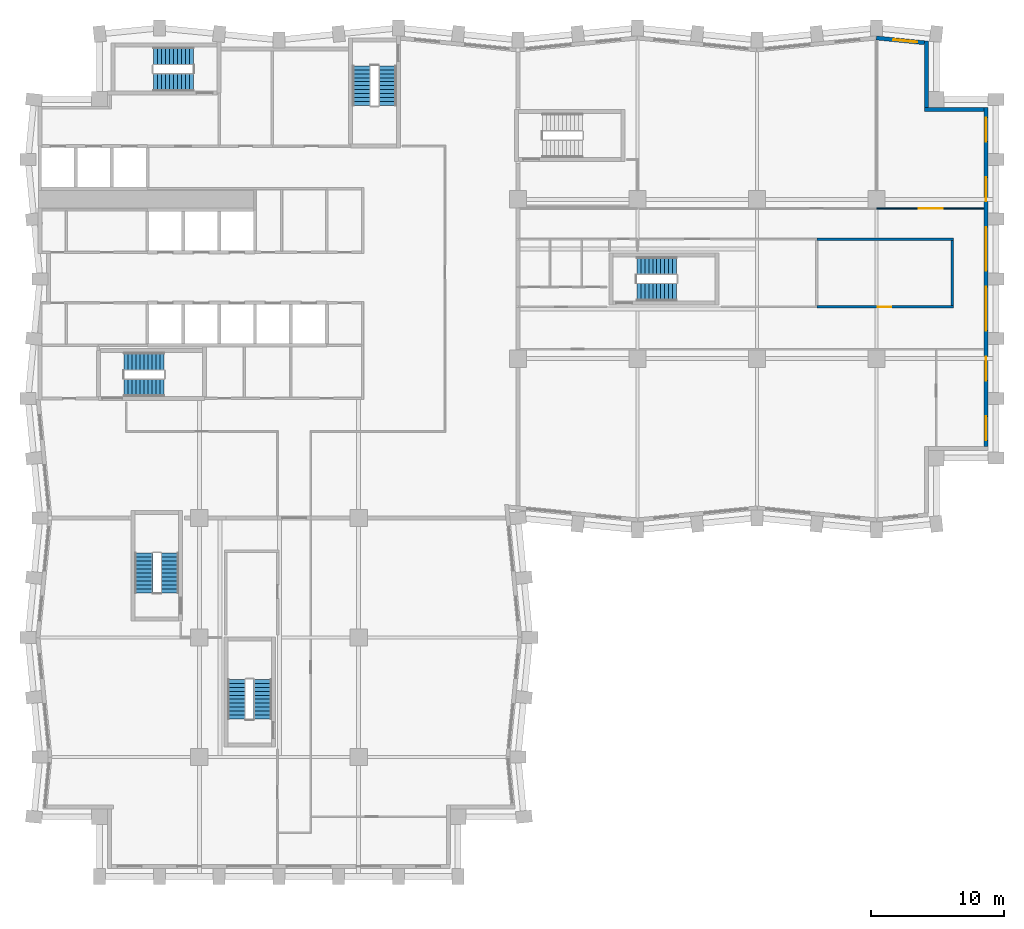
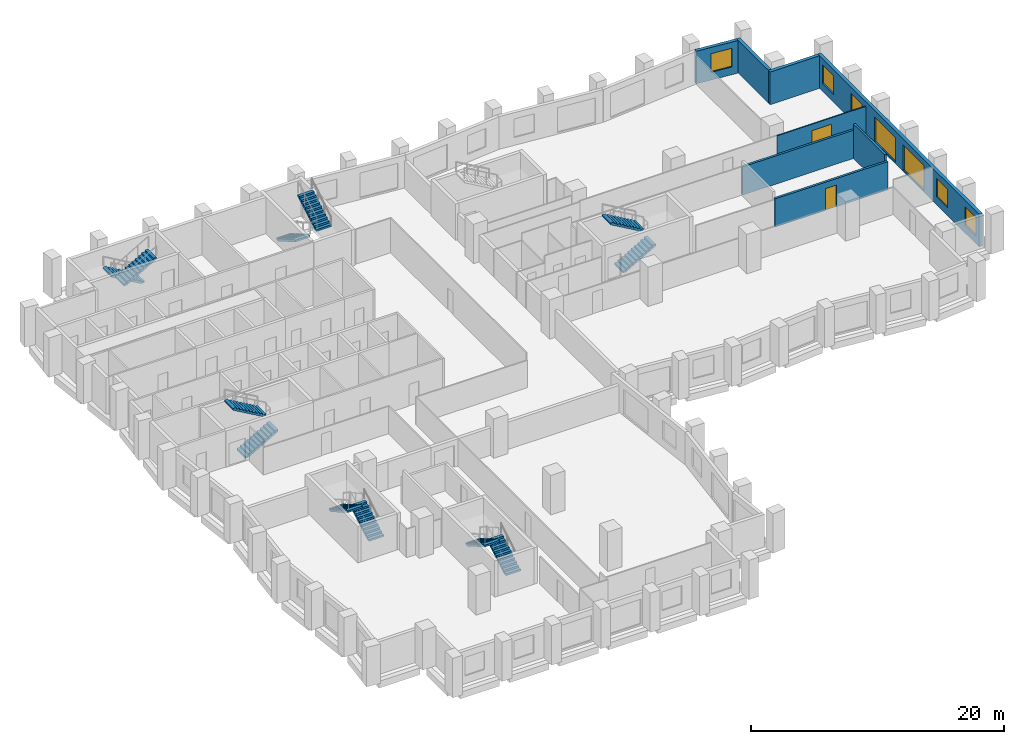
# One storey, part 8 of 11: 12 stair flights, 8 walls, 7 windows, 2 doors, 9 openings, 6 elements without a shape of their own.
"""IFC4 building model written with IfcOpenShell, lengths in metres."""

from ifc_helpers import new_model, si_unit, direction, frame, frame_2d, origin, place, context, subcontext, project, spatial, polyline, rectangle, outline, extrude, material, layer, layer_set, type_object, element, fill, aggregate, save


model = new_model("IFC4")

# Units and contexts
model_context = context("Model", 3, precision=1e-05, world=origin(), true_north=direction((0.0, 1.0)))
body_context = subcontext(model_context, "Body", "Model", "MODEL_VIEW")
ifc_project = project(units=[si_unit("LENGTHUNIT", "METRE"), si_unit("AREAUNIT", "SQUARE_METRE"), si_unit("VOLUMEUNIT", "CUBIC_METRE"), si_unit("PLANEANGLEUNIT", "RADIAN"), si_unit("MASSUNIT", "GRAM", prefix="KILO")], contexts=[model_context])

# Site, building, storey
site_placement = place(None, origin())
site = spatial("IfcSite", under=ifc_project, at=site_placement, CompositionType="ELEMENT")
building_placement = place(site_placement, origin())
building = spatial("IfcBuilding", under=site, at=building_placement, Name="Brondeck Convention Tower", CompositionType="ELEMENT")
storey_placement = place(building_placement, frame((0.0, 0.0, 130.300048828125)))
storey = spatial("IfcBuildingStorey", under=building, at=storey_placement, Name="L31", CompositionType="ELEMENT", Elevation=130.300048828125)

# Wall, openings, windows
ifc_material_1 = material(Name="Precast concrete C50/60 bronze finish", Category="concrete")
ifc_layer_1 = layer(ifc_material_1, 0.070068359375, Name="Bronze precast facing")
ifc_material_2 = material(Name="Mineral wool")
ifc_layer_2 = layer(ifc_material_2, 0.159912109375, Name="Insulation")
ifc_material_3 = material(Name="Concrete C35/45", Category="concrete")
ifc_layer_3 = layer(ifc_material_3, 0.070068359375, Name="Backing")
ifc_layer_set_1 = layer_set([ifc_layer_1, ifc_layer_2, ifc_layer_3], Name="External infill wall, precast concrete C50/60 bronze facing")
wall_type_1 = type_object("IfcWallType", Name="External infill wall, precast concrete C50/60 bronze facing", PredefinedType="SOLIDWALL", material=ifc_layer_set_1)
wall_1_placement = place(storey_placement, frame((71.25, 57.89990234375, 0.0), z_axis=(0.0, 0.0, 1.0), x_axis=(0.0, -1.0, 0.0)))
wall_1 = element("IfcWall", 1, at=wall_1_placement, inside=storey, type_object=wall_type_1, Name="ENV-EW-L31-P0-A-E72-01", PredefinedType="SOLIDWALL", context=body_context, shape_type="SweptSolid", body=[
    extrude(rectangle(XDim=25.501953125, YDim=0.300048828125, at=frame_2d((12.7509765625, 0.0))), origin(), (0.0, 0.0, 1.0), 3.14990234375),
])
opening_1_placement = place(wall_1_placement, frame((0.75, 0.0, 0.75)))
opening_1 = element("IfcOpeningElement", 2, at=opening_1_placement, cuts=wall_1, Name="Opening W10", PredefinedType="OPENING", context=body_context, shape_type="SweptSolid", body=[
    extrude(rectangle(XDim=1.800048828125, YDim=1.800048828125, at=frame_2d((0.89990234375, 0.89990234375))), frame((0.0, 0.159912109375, 0.0), z_axis=(0.0, -1.0, 0.0), x_axis=(1.0, 0.0, 0.0)), (0.0, 0.0, 1.0), 0.320068359375),
])
opening_2_placement = place(wall_1_placement, frame((5.25, 0.0, 0.75)))
opening_2 = element("IfcOpeningElement", 3, at=opening_2_placement, cuts=wall_1, Name="Opening W10", PredefinedType="OPENING", context=body_context, shape_type="SweptSolid", body=[
    extrude(rectangle(XDim=1.800048828125, YDim=1.800048828125, at=frame_2d((0.89990234375, 0.89990234375))), frame((0.0, 0.159912109375, 0.0), z_axis=(0.0, -1.0, 0.0), x_axis=(1.0, 0.0, 0.0)), (0.0, 0.0, 1.0), 0.320068359375),
])
opening_3_placement = place(wall_1_placement, frame((9.0, 0.0, 0.14990234375)))
opening_3 = element("IfcOpeningElement", 4, at=opening_3_placement, cuts=wall_1, Name="Opening W9", PredefinedType="OPENING", context=body_context, shape_type="SweptSolid", body=[
    extrude(rectangle(XDim=3.300048828125, YDim=2.39990234375, at=frame_2d((1.64990234375, 1.199951171875))), frame((0.0, 0.159912109375, 0.0), z_axis=(0.0, -1.0, 0.0), x_axis=(1.0, 0.0, 0.0)), (0.0, 0.0, 1.0), 0.320068359375),
])
opening_4_placement = place(wall_1_placement, frame((13.5, 0.0, 0.14990234375)))
opening_4 = element("IfcOpeningElement", 5, at=opening_4_placement, cuts=wall_1, Name="Opening W9", PredefinedType="OPENING", context=body_context, shape_type="SweptSolid", body=[
    extrude(rectangle(XDim=3.300048828125, YDim=2.39990234375, at=frame_2d((1.64990234375, 1.199951171875))), frame((0.0, 0.159912109375, 0.0), z_axis=(0.0, -1.0, 0.0), x_axis=(1.0, 0.0, 0.0)), (0.0, 0.0, 1.0), 0.320068359375),
])
opening_5_placement = place(wall_1_placement, frame((18.75, 0.0, 0.75)))
opening_5 = element("IfcOpeningElement", 6, at=opening_5_placement, cuts=wall_1, Name="Opening W10", PredefinedType="OPENING", context=body_context, shape_type="SweptSolid", body=[
    extrude(rectangle(XDim=1.800048828125, YDim=1.800048828125, at=frame_2d((0.89990234375, 0.89990234375))), frame((0.0, 0.159912109375, 0.0), z_axis=(0.0, -1.0, 0.0), x_axis=(1.0, 0.0, 0.0)), (0.0, 0.0, 1.0), 0.320068359375),
])
opening_6_placement = place(wall_1_placement, frame((23.25, 0.0, 0.75)))
opening_6 = element("IfcOpeningElement", 7, at=opening_6_placement, cuts=wall_1, Name="Opening W10", PredefinedType="OPENING", context=body_context, shape_type="SweptSolid", body=[
    extrude(rectangle(XDim=1.800048828125, YDim=1.800048828125, at=frame_2d((0.89990234375, 0.89990234375))), frame((0.0, 0.159912109375, 0.0), z_axis=(0.0, -1.0, 0.0), x_axis=(1.0, 0.0, 0.0)), (0.0, 0.0, 1.0), 0.320068359375),
])
ifc_material_4 = material(Name="Bronze tinted double glazing", Category="glass")
window_type_1 = type_object("IfcWindowType", Name="Glazed flute window, bronze tinted", PartitioningType="SINGLE_PANEL", PredefinedType="WINDOW", material=ifc_material_4)
window_1_placement = place(opening_3_placement, origin())
window_1 = element("IfcWindow", 8, at=window_1_placement, inside=storey, type_object=window_type_1, Name="ENV-WN-L31-P0-A-E72-04", OverallHeight=2.39990234375, OverallWidth=3.300048828125, PartitioningType="SINGLE_PANEL", PredefinedType="WINDOW", context=body_context, shape_type="SweptSolid", body=[
    extrude(rectangle(XDim=3.300048828125, YDim=2.39990234375, at=frame_2d((1.64990234375, 1.199951171875))), frame((0.0, 0.030029296875, 0.0), z_axis=(0.0, -1.0, 0.0), x_axis=(1.0, 0.0, 0.0)), (0.0, 0.0, 1.0), 0.06005859375),
])
fill(opening_3, window_1)
window_2_placement = place(opening_4_placement, origin())
window_2 = element("IfcWindow", 9, at=window_2_placement, inside=storey, type_object=window_type_1, Name="ENV-WN-L31-P0-A-E72-03", OverallHeight=2.39990234375, OverallWidth=3.300048828125, PartitioningType="SINGLE_PANEL", PredefinedType="WINDOW", context=body_context, shape_type="SweptSolid", body=[
    extrude(rectangle(XDim=3.300048828125, YDim=2.39990234375, at=frame_2d((1.64990234375, 1.199951171875))), frame((0.0, 0.030029296875, 0.0), z_axis=(0.0, -1.0, 0.0), x_axis=(1.0, 0.0, 0.0)), (0.0, 0.0, 1.0), 0.06005859375),
])
fill(opening_4, window_2)
window_type_2 = type_object("IfcWindowType", Name="Punched window, bronze tinted", PartitioningType="SINGLE_PANEL", PredefinedType="WINDOW", material=ifc_material_4)
window_3_placement = place(opening_1_placement, origin())
window_3 = element("IfcWindow", 10, at=window_3_placement, inside=storey, type_object=window_type_2, Name="ENV-WN-L31-P0-A-E72-06", OverallHeight=1.800048828125, OverallWidth=1.800048828125, PartitioningType="SINGLE_PANEL", PredefinedType="WINDOW", context=body_context, shape_type="SweptSolid", body=[
    extrude(rectangle(XDim=1.800048828125, YDim=1.800048828125, at=frame_2d((0.89990234375, 0.89990234375))), frame((0.0, 0.030029296875, 0.0), z_axis=(0.0, -1.0, 0.0), x_axis=(1.0, 0.0, 0.0)), (0.0, 0.0, 1.0), 0.06005859375),
])
fill(opening_1, window_3)
window_4_placement = place(opening_2_placement, origin())
window_4 = element("IfcWindow", 11, at=window_4_placement, inside=storey, type_object=window_type_2, Name="ENV-WN-L31-P0-A-E72-05", OverallHeight=1.800048828125, OverallWidth=1.800048828125, PartitioningType="SINGLE_PANEL", PredefinedType="WINDOW", context=body_context, shape_type="SweptSolid", body=[
    extrude(rectangle(XDim=1.800048828125, YDim=1.800048828125, at=frame_2d((0.89990234375, 0.89990234375))), frame((0.0, 0.030029296875, 0.0), z_axis=(0.0, -1.0, 0.0), x_axis=(1.0, 0.0, 0.0)), (0.0, 0.0, 1.0), 0.06005859375),
])
fill(opening_2, window_4)
window_5_placement = place(opening_5_placement, origin())
window_5 = element("IfcWindow", 12, at=window_5_placement, inside=storey, type_object=window_type_2, Name="ENV-WN-L31-P0-A-E72-02", OverallHeight=1.800048828125, OverallWidth=1.800048828125, PartitioningType="SINGLE_PANEL", PredefinedType="WINDOW", context=body_context, shape_type="SweptSolid", body=[
    extrude(rectangle(XDim=1.800048828125, YDim=1.800048828125, at=frame_2d((0.89990234375, 0.89990234375))), frame((0.0, 0.030029296875, 0.0), z_axis=(0.0, -1.0, 0.0), x_axis=(1.0, 0.0, 0.0)), (0.0, 0.0, 1.0), 0.06005859375),
])
fill(opening_5, window_5)
window_6_placement = place(opening_6_placement, origin())
window_6 = element("IfcWindow", 13, at=window_6_placement, inside=storey, type_object=window_type_2, Name="ENV-WN-L31-P0-A-E72-01", OverallHeight=1.800048828125, OverallWidth=1.800048828125, PartitioningType="SINGLE_PANEL", PredefinedType="WINDOW", context=body_context, shape_type="SweptSolid", body=[
    extrude(rectangle(XDim=1.800048828125, YDim=1.800048828125, at=frame_2d((0.89990234375, 0.89990234375))), frame((0.0, 0.030029296875, 0.0), z_axis=(0.0, -1.0, 0.0), x_axis=(1.0, 0.0, 0.0)), (0.0, 0.0, 1.0), 0.06005859375),
])
fill(opening_6, window_6)

# Walls
wall_2_placement = place(storey_placement, frame((66.60009765625, 57.75, 0.0), z_axis=(0.0, 0.0, 1.0), x_axis=(1.0, 0.0, 0.0)))
element("IfcWall", 14, at=wall_2_placement, inside=storey, type_object=wall_type_1, Name="ENV-EW-L31-P0-NC-NEA72-01", PredefinedType="SOLIDWALL", context=body_context, shape_type="SweptSolid", body=[
    extrude(rectangle(XDim=4.5, YDim=0.300048828125, at=frame_2d((2.25, 0.0))), origin(), (0.0, 0.0, 1.0), 3.14990234375),
])
wall_3_placement = place(storey_placement, frame((66.75, 62.906982421875, 0.0), z_axis=(0.0, 0.0, 1.0), x_axis=(0.0, -1.0, 0.0)))
element("IfcWall", 15, at=wall_3_placement, inside=storey, type_object=wall_type_1, Name="ENV-EW-L31-P0-NC-NEA72-02", PredefinedType="SOLIDWALL", context=body_context, shape_type="SweptSolid", body=[
    extrude(rectangle(XDim=5.009033203125, YDim=0.300048828125, at=frame_2d((2.50439453125, 0.0))), origin(), (0.0, 0.0, 1.0), 3.14990234375),
])

# Wall, opening, window
wall_4_placement = place(storey_placement, frame((62.985107421875, 63.147705078125, 0.0), z_axis=(0.0, 0.0, 1.0), x_axis=(0.995038521274, -0.099490407478, 0.0)))
wall_4 = element("IfcWall", 16, at=wall_4_placement, inside=storey, type_object=wall_type_1, Name="ENV-EW-L31-P0-A-N-14", PredefinedType="SOLIDWALL", context=body_context, shape_type="SweptSolid", body=[
    extrude(rectangle(XDim=3.6318359375, YDim=0.300048828125, at=frame_2d((1.81591796875, 0.0))), origin(), (0.0, 0.0, 1.0), 3.14990234375),
])
opening_7_placement = place(wall_4_placement, frame((1.30126953125, 0.0, 0.75)))
opening_7 = element("IfcOpeningElement", 17, at=opening_7_placement, cuts=wall_4, Name="Opening W10", PredefinedType="OPENING", context=body_context, shape_type="SweptSolid", body=[
    extrude(rectangle(XDim=1.800048828125, YDim=1.800048828125, at=frame_2d((0.89990234375, 0.89990234375))), frame((0.0, 0.159912109375, 0.0), z_axis=(0.0, -1.0, 0.0), x_axis=(1.0, 0.0, 0.0)), (0.0, 0.0, 1.0), 0.320068359375),
])
window_7_placement = place(opening_7_placement, origin())
window_7 = element("IfcWindow", 18, at=window_7_placement, inside=storey, type_object=window_type_2, Name="ENV-WN-L31-P0-A-N-14", OverallHeight=1.800048828125, OverallWidth=1.800048828125, PartitioningType="SINGLE_PANEL", PredefinedType="WINDOW", context=body_context, shape_type="SweptSolid", body=[
    extrude(rectangle(XDim=1.800048828125, YDim=1.800048828125, at=frame_2d((0.89990234375, 0.89990234375))), frame((0.0, 0.030029296875, 0.0), z_axis=(0.0, -1.0, 0.0), x_axis=(1.0, 0.0, 0.0)), (0.0, 0.0, 1.0), 0.06005859375),
])
fill(opening_7, window_7)

# Wall, opening, door
ifc_material_5 = material(Name="Concrete block wall C16/20", Category="concrete")
ifc_layer_4 = layer(ifc_material_5, 0.199951171875)
ifc_layer_set_2 = layer_set([ifc_layer_4], Name="Plant room wall 200")
wall_type_2 = type_object("IfcWallType", Name="Plant room wall 200", PredefinedType="PARTITIONING", material=ifc_layer_set_2)
wall_5_placement = place(storey_placement, frame((58.5, 42.89990234375, 0.0), z_axis=(0.0, 0.0, 1.0), x_axis=(1.0, 0.0, 0.0)))
wall_5 = element("IfcWall", 19, at=wall_5_placement, inside=storey, type_object=wall_type_2, Name="FLR-L31-W032", PredefinedType="PARTITIONING", context=body_context, shape_type="SweptSolid", body=[
    extrude(rectangle(XDim=10.300048828125, YDim=0.199951171875, at=frame_2d((5.14990234375, 0.0))), origin(), (0.0, 0.0, 1.0), 2.72998046875),
])
opening_8_placement = place(wall_5_placement, frame((4.60009765625, 0.0, 0.0)))
opening_8 = element("IfcOpeningElement", 20, at=opening_8_placement, cuts=wall_5, Name="Opening OF-E-008", PredefinedType="OPENING", context=body_context, shape_type="SweptSolid", body=[
    extrude(rectangle(XDim=1.0, YDim=2.10009765625, at=frame_2d((0.5, 1.050048828125))), frame((0.0, 0.10986328125, 0.0), z_axis=(0.0, -1.0, 0.0), x_axis=(1.0, 0.0, 0.0)), (0.0, 0.0, 1.0), 0.219970703125),
])
ifc_material_6 = material(Name="Steel fire door leaf", Category="steel")
door_type_1 = type_object("IfcDoorType", Name="Plant room door 1000", OperationType="NOTDEFINED", PredefinedType="DOOR", material=ifc_material_6)
door_1_placement = place(opening_8_placement, origin())
door_1 = element("IfcDoor", 21, at=door_1_placement, inside=storey, type_object=door_type_1, Name="Door OF-E-008", OperationType="SINGLE_SWING_RIGHT", OverallHeight=2.10009765625, OverallWidth=1.0, PredefinedType="DOOR", context=body_context, shape_type="SweptSolid", body=[
    extrude(rectangle(XDim=1.0, YDim=2.10009765625, at=frame_2d((0.5, 1.050048828125))), frame((0.0, 0.02490234375, 0.0), z_axis=(0.0, -1.0, 0.0), x_axis=(1.0, 0.0, 0.0)), (0.0, 0.0, 1.0), 0.050048828125),
])
fill(opening_8, door_1)

# Walls
wall_6_placement = place(storey_placement, frame((68.699951171875, 43.0, 0.0), z_axis=(0.0, 0.0, 1.0), x_axis=(0.0, 1.0, 0.0)))
element("IfcWall", 22, at=wall_6_placement, inside=storey, type_object=wall_type_2, Name="FLR-L31-W034", PredefinedType="PARTITIONING", context=body_context, shape_type="SweptSolid", body=[
    extrude(rectangle(XDim=4.89990234375, YDim=0.199951171875, at=frame_2d((2.449951171875, 0.0))), origin(), (0.0, 0.0, 1.0), 3.329833984375),
])
wall_7_placement = place(storey_placement, frame((68.800048828125, 48.0, 0.0), z_axis=(0.0, 0.0, 1.0), x_axis=(-1.0, 0.0, 0.0)))
element("IfcWall", 23, at=wall_7_placement, inside=storey, type_object=wall_type_2, Name="FLR-L31-W049", PredefinedType="PARTITIONING", context=body_context, shape_type="SweptSolid", body=[
    extrude(rectangle(XDim=10.300048828125, YDim=0.199951171875, at=frame_2d((5.14990234375, 0.0))), origin(), (0.0, 0.0, 1.0), 2.72998046875),
])

# Wall, opening, door
ifc_material_7 = material(Name="Gypsum board partition on steel studs", Category="steel")
ifc_layer_5 = layer(ifc_material_7, 0.10009765625)
ifc_layer_set_3 = layer_set([ifc_layer_5], Name="Room partition 100")
wall_type_3 = type_object("IfcWallType", Name="Room partition 100", PredefinedType="PARTITIONING", material=ifc_layer_set_3)
wall_8_placement = place(storey_placement, frame((63.0, 50.300048828125, 0.0), z_axis=(0.0, 0.0, 1.0), x_axis=(1.0, 0.0, 0.0)))
wall_8 = element("IfcWall", 24, at=wall_8_placement, inside=storey, type_object=wall_type_3, Name="FLR-L31-W053", PredefinedType="PARTITIONING", context=body_context, shape_type="SweptSolid", body=[
    extrude(rectangle(XDim=8.080078125, YDim=0.10009765625, at=frame_2d((4.0400390625, 0.0))), origin(), (0.0, 0.0, 1.0), 2.72998046875),
])
opening_9_placement = place(wall_8_placement, frame((3.174072265625, 0.0, 0.0)))
opening_9 = element("IfcOpeningElement", 25, at=opening_9_placement, cuts=wall_8, Name="Opening OF-E-012", PredefinedType="OPENING", context=body_context, shape_type="SweptSolid", body=[
    extrude(rectangle(XDim=1.800048828125, YDim=2.10009765625, at=frame_2d((0.89990234375, 1.050048828125))), frame((0.0, 0.06005859375, 0.0), z_axis=(0.0, -1.0, 0.0), x_axis=(1.0, 0.0, 0.0)), (0.0, 0.0, 1.0), 0.1201171875),
])
ifc_material_8 = material(Name="Glazed timber double door", Category="wood")
door_type_2 = type_object("IfcDoorType", Name="Double door 1800", OperationType="DOUBLE_DOOR_SINGLE_SWING", PredefinedType="DOOR", material=ifc_material_8)
door_2_placement = place(opening_9_placement, origin())
door_2 = element("IfcDoor", 26, at=door_2_placement, inside=storey, type_object=door_type_2, Name="Door OF-E-012", OperationType="DOUBLE_DOOR_SINGLE_SWING", OverallHeight=2.10009765625, OverallWidth=1.800048828125, PredefinedType="DOOR", context=body_context, shape_type="SweptSolid", body=[
    extrude(rectangle(XDim=1.800048828125, YDim=2.10009765625, at=frame_2d((0.89990234375, 1.050048828125))), frame((0.0, 0.02490234375, 0.0), z_axis=(0.0, -1.0, 0.0), x_axis=(1.0, 0.0, 0.0)), (0.0, 0.0, 1.0), 0.050048828125),
])
fill(opening_9, door_2)

# Stair, stair flights
ifc_material_9 = material(Name="Precast concrete C50/60", Category="concrete")
stair_type = type_object("IfcStairType", Name="Core stair 22 risers 172.73 mm riser 300 mm going 1350 wide", PredefinedType="HALF_TURN_STAIR", material=ifc_material_9)
stair_1_placement = place(storey_placement, origin())
stair_1 = element("IfcStair", 27, at=stair_1_placement, inside=storey, type_object=stair_type, Name="ST-1 L31 stair", PredefinedType="HALF_TURN_STAIR")
stair_flight_type = type_object("IfcStairFlightType", Name="Core stair flight 22 risers 172.73 mm riser 300 mm going 1350 wide", PredefinedType="STRAIGHT", material=ifc_material_9)
stair_flight_1_placement = place(storey_placement, frame((6.35009765625, 36.824951171875, 0.0), z_axis=(0.0, 0.0, 1.0), x_axis=(1.0, 0.0, 0.0)))
stair_flight_1 = element("IfcStairFlight", 28, at=stair_flight_1_placement, type_object=stair_flight_type, Name="ST-1 flight 1", NumberOfRisers=11, NumberOfTreads=10, PredefinedType="STRAIGHT", RiserHeight=0.172727273, TreadLength=0.3, context=body_context, shape_type="SweptSolid", body=[
    extrude(outline(polyline([(0.0, 0.0), (0.0, 0.172607421875), (0.300048828125, 0.172607421875), (0.300048828125, 0.345458984375), (0.60009765625, 0.345458984375), (0.60009765625, 0.51806640625), (0.89990234375, 0.51806640625), (0.89990234375, 0.69091796875), (1.199951171875, 0.69091796875), (1.199951171875, 0.863525390625), (1.5, 0.863525390625), (1.5, 1.036376953125), (1.800048828125, 1.036376953125), (1.800048828125, 1.208984375), (2.10009765625, 1.208984375), (2.10009765625, 1.3818359375), (2.39990234375, 1.3818359375), (2.39990234375, 1.554443359375), (2.699951171875, 1.554443359375), (2.699951171875, 1.727294921875), (3.0, 1.727294921875), (3.0, 1.89990234375), (3.0, 1.55419921875), (0.300537109375, 0.0), (0.0, 0.0)])), frame((0.0, 0.675048828125, 0.0), z_axis=(0.0, -1.0, 0.0), x_axis=(1.0, 0.0, 0.0)), (0.0, 0.0, 1.0), 1.35009765625),
])
stair_flight_2_placement = place(storey_placement, frame((9.35009765625, 38.77490234375, 1.89990234375), z_axis=(0.0, 0.0, 1.0), x_axis=(-1.0, 0.0, 0.0)))
stair_flight_2 = element("IfcStairFlight", 29, at=stair_flight_2_placement, type_object=stair_flight_type, Name="ST-1 flight 2", NumberOfRisers=11, NumberOfTreads=10, PredefinedType="STRAIGHT", RiserHeight=0.172727273, TreadLength=0.3, context=body_context, shape_type="SweptSolid", body=[
    extrude(outline(polyline([(0.0, 0.0), (0.0, 0.172607421875), (0.300048828125, 0.172607421875), (0.300048828125, 0.345458984375), (0.60009765625, 0.345458984375), (0.60009765625, 0.51806640625), (0.89990234375, 0.51806640625), (0.89990234375, 0.69091796875), (1.199951171875, 0.69091796875), (1.199951171875, 0.863525390625), (1.5, 0.863525390625), (1.5, 1.036376953125), (1.800048828125, 1.036376953125), (1.800048828125, 1.208984375), (2.10009765625, 1.208984375), (2.10009765625, 1.3818359375), (2.39990234375, 1.3818359375), (2.39990234375, 1.554443359375), (2.699951171875, 1.554443359375), (2.699951171875, 1.727294921875), (3.0, 1.727294921875), (3.0, 1.89990234375), (3.0, 1.55419921875), (0.300537109375, 0.0), (0.0, 0.0)])), frame((0.0, 0.675048828125, 0.0), z_axis=(0.0, -1.0, 0.0), x_axis=(1.0, 0.0, 0.0)), (0.0, 0.0, 1.0), 1.35009765625),
])
aggregate(stair_1, [stair_flight_1, stair_flight_2])

stair_2_placement = place(storey_placement, origin())
stair_2 = element("IfcStair", 30, at=stair_2_placement, inside=storey, type_object=stair_type, Name="ST-2 L31 stair", PredefinedType="HALF_TURN_STAIR")
stair_flight_3_placement = place(storey_placement, frame((24.22509765625, 61.050048828125, 0.0), z_axis=(0.0, 0.0, 1.0), x_axis=(0.0, -1.0, 0.0)))
stair_flight_3 = element("IfcStairFlight", 31, at=stair_flight_3_placement, type_object=stair_flight_type, Name="ST-2 flight 1", NumberOfRisers=11, NumberOfTreads=10, PredefinedType="STRAIGHT", RiserHeight=0.172727273, TreadLength=0.3, context=body_context, shape_type="SweptSolid", body=[
    extrude(outline(polyline([(0.0, 0.0), (0.0, 0.172607421875), (0.300048828125, 0.172607421875), (0.300048828125, 0.345458984375), (0.60009765625, 0.345458984375), (0.60009765625, 0.51806640625), (0.89990234375, 0.51806640625), (0.89990234375, 0.69091796875), (1.199951171875, 0.69091796875), (1.199951171875, 0.863525390625), (1.5, 0.863525390625), (1.5, 1.036376953125), (1.800048828125, 1.036376953125), (1.800048828125, 1.208984375), (2.10009765625, 1.208984375), (2.10009765625, 1.3818359375), (2.39990234375, 1.3818359375), (2.39990234375, 1.554443359375), (2.699951171875, 1.554443359375), (2.699951171875, 1.727294921875), (3.0, 1.727294921875), (3.0, 1.89990234375), (3.0, 1.55419921875), (0.300537109375, 0.0), (0.0, 0.0)])), frame((0.0, 0.675048828125, 0.0), z_axis=(0.0, -1.0, 0.0), x_axis=(1.0, 0.0, 0.0)), (0.0, 0.0, 1.0), 1.35009765625),
])
stair_flight_4_placement = place(storey_placement, frame((26.175048828125, 58.050048828125, 1.89990234375), z_axis=(0.0, 0.0, 1.0), x_axis=(0.0, 1.0, 0.0)))
stair_flight_4 = element("IfcStairFlight", 32, at=stair_flight_4_placement, type_object=stair_flight_type, Name="ST-2 flight 2", NumberOfRisers=11, NumberOfTreads=10, PredefinedType="STRAIGHT", RiserHeight=0.172727273, TreadLength=0.3, context=body_context, shape_type="SweptSolid", body=[
    extrude(outline(polyline([(0.0, 0.0), (0.0, 0.172607421875), (0.300048828125, 0.172607421875), (0.300048828125, 0.345458984375), (0.60009765625, 0.345458984375), (0.60009765625, 0.51806640625), (0.89990234375, 0.51806640625), (0.89990234375, 0.69091796875), (1.199951171875, 0.69091796875), (1.199951171875, 0.863525390625), (1.5, 0.863525390625), (1.5, 1.036376953125), (1.800048828125, 1.036376953125), (1.800048828125, 1.208984375), (2.10009765625, 1.208984375), (2.10009765625, 1.3818359375), (2.39990234375, 1.3818359375), (2.39990234375, 1.554443359375), (2.699951171875, 1.554443359375), (2.699951171875, 1.727294921875), (3.0, 1.727294921875), (3.0, 1.89990234375), (3.0, 1.55419921875), (0.300537109375, 0.0), (0.0, 0.0)])), frame((0.0, 0.675048828125, 0.0), z_axis=(0.0, -1.0, 0.0), x_axis=(1.0, 0.0, 0.0)), (0.0, 0.0, 1.0), 1.35009765625),
])
aggregate(stair_2, [stair_flight_3, stair_flight_4])

stair_3_placement = place(storey_placement, origin())
stair_3 = element("IfcStair", 33, at=stair_3_placement, inside=storey, type_object=stair_type, Name="ST-3 L31 stair", PredefinedType="HALF_TURN_STAIR")
stair_flight_5_placement = place(storey_placement, frame((11.550048828125, 61.77490234375, 0.0), z_axis=(0.0, 0.0, 1.0), x_axis=(-1.0, 0.0, 0.0)))
stair_flight_5 = element("IfcStairFlight", 34, at=stair_flight_5_placement, type_object=stair_flight_type, Name="ST-3 flight 1", NumberOfRisers=11, NumberOfTreads=10, PredefinedType="STRAIGHT", RiserHeight=0.172727273, TreadLength=0.3, context=body_context, shape_type="SweptSolid", body=[
    extrude(outline(polyline([(0.0, 0.0), (0.0, 0.172607421875), (0.300048828125, 0.172607421875), (0.300048828125, 0.345458984375), (0.60009765625, 0.345458984375), (0.60009765625, 0.51806640625), (0.89990234375, 0.51806640625), (0.89990234375, 0.69091796875), (1.199951171875, 0.69091796875), (1.199951171875, 0.863525390625), (1.5, 0.863525390625), (1.5, 1.036376953125), (1.800048828125, 1.036376953125), (1.800048828125, 1.208984375), (2.10009765625, 1.208984375), (2.10009765625, 1.3818359375), (2.39990234375, 1.3818359375), (2.39990234375, 1.554443359375), (2.699951171875, 1.554443359375), (2.699951171875, 1.727294921875), (3.0, 1.727294921875), (3.0, 1.89990234375), (3.0, 1.55419921875), (0.300537109375, 0.0), (0.0, 0.0)])), frame((0.0, 0.675048828125, 0.0), z_axis=(0.0, -1.0, 0.0), x_axis=(1.0, 0.0, 0.0)), (0.0, 0.0, 1.0), 1.35009765625),
])
stair_flight_6_placement = place(storey_placement, frame((8.550048828125, 59.824951171875, 1.89990234375), z_axis=(0.0, 0.0, 1.0), x_axis=(1.0, 0.0, 0.0)))
stair_flight_6 = element("IfcStairFlight", 35, at=stair_flight_6_placement, type_object=stair_flight_type, Name="ST-3 flight 2", NumberOfRisers=11, NumberOfTreads=10, PredefinedType="STRAIGHT", RiserHeight=0.172727273, TreadLength=0.3, context=body_context, shape_type="SweptSolid", body=[
    extrude(outline(polyline([(0.0, 0.0), (0.0, 0.172607421875), (0.300048828125, 0.172607421875), (0.300048828125, 0.345458984375), (0.60009765625, 0.345458984375), (0.60009765625, 0.51806640625), (0.89990234375, 0.51806640625), (0.89990234375, 0.69091796875), (1.199951171875, 0.69091796875), (1.199951171875, 0.863525390625), (1.5, 0.863525390625), (1.5, 1.036376953125), (1.800048828125, 1.036376953125), (1.800048828125, 1.208984375), (2.10009765625, 1.208984375), (2.10009765625, 1.3818359375), (2.39990234375, 1.3818359375), (2.39990234375, 1.554443359375), (2.699951171875, 1.554443359375), (2.699951171875, 1.727294921875), (3.0, 1.727294921875), (3.0, 1.89990234375), (3.0, 1.55419921875), (0.300537109375, 0.0), (0.0, 0.0)])), frame((0.0, 0.675048828125, 0.0), z_axis=(0.0, -1.0, 0.0), x_axis=(1.0, 0.0, 0.0)), (0.0, 0.0, 1.0), 1.35009765625),
])
aggregate(stair_3, [stair_flight_5, stair_flight_6])

stair_4_placement = place(storey_placement, origin())
stair_4 = element("IfcStair", 36, at=stair_4_placement, inside=storey, type_object=stair_type, Name="ST-BE L31 stair", PredefinedType="HALF_TURN_STAIR")
stair_flight_7_placement = place(storey_placement, frame((9.77490234375, 21.35009765625, 0.0), z_axis=(0.0, 0.0, 1.0), x_axis=(0.0, 1.0, 0.0)))
stair_flight_7 = element("IfcStairFlight", 37, at=stair_flight_7_placement, type_object=stair_flight_type, Name="ST-BE flight 1", NumberOfRisers=11, NumberOfTreads=10, PredefinedType="STRAIGHT", RiserHeight=0.172727273, TreadLength=0.3, context=body_context, shape_type="SweptSolid", body=[
    extrude(outline(polyline([(0.0, 0.0), (0.0, 0.172607421875), (0.300048828125, 0.172607421875), (0.300048828125, 0.345458984375), (0.60009765625, 0.345458984375), (0.60009765625, 0.51806640625), (0.89990234375, 0.51806640625), (0.89990234375, 0.69091796875), (1.199951171875, 0.69091796875), (1.199951171875, 0.863525390625), (1.5, 0.863525390625), (1.5, 1.036376953125), (1.800048828125, 1.036376953125), (1.800048828125, 1.208984375), (2.10009765625, 1.208984375), (2.10009765625, 1.3818359375), (2.39990234375, 1.3818359375), (2.39990234375, 1.554443359375), (2.699951171875, 1.554443359375), (2.699951171875, 1.727294921875), (3.0, 1.727294921875), (3.0, 1.89990234375), (3.0, 1.55419921875), (0.300537109375, 0.0), (0.0, 0.0)])), frame((0.0, 0.675048828125, 0.0), z_axis=(0.0, -1.0, 0.0), x_axis=(1.0, 0.0, 0.0)), (0.0, 0.0, 1.0), 1.35009765625),
])
stair_flight_8_placement = place(storey_placement, frame((7.824951171875, 24.35009765625, 1.89990234375), z_axis=(0.0, 0.0, 1.0), x_axis=(0.0, -1.0, 0.0)))
stair_flight_8 = element("IfcStairFlight", 38, at=stair_flight_8_placement, type_object=stair_flight_type, Name="ST-BE flight 2", NumberOfRisers=11, NumberOfTreads=10, PredefinedType="STRAIGHT", RiserHeight=0.172727273, TreadLength=0.3, context=body_context, shape_type="SweptSolid", body=[
    extrude(outline(polyline([(0.0, 0.0), (0.0, 0.172607421875), (0.300048828125, 0.172607421875), (0.300048828125, 0.345458984375), (0.60009765625, 0.345458984375), (0.60009765625, 0.51806640625), (0.89990234375, 0.51806640625), (0.89990234375, 0.69091796875), (1.199951171875, 0.69091796875), (1.199951171875, 0.863525390625), (1.5, 0.863525390625), (1.5, 1.036376953125), (1.800048828125, 1.036376953125), (1.800048828125, 1.208984375), (2.10009765625, 1.208984375), (2.10009765625, 1.3818359375), (2.39990234375, 1.3818359375), (2.39990234375, 1.554443359375), (2.699951171875, 1.554443359375), (2.699951171875, 1.727294921875), (3.0, 1.727294921875), (3.0, 1.89990234375), (3.0, 1.55419921875), (0.300537109375, 0.0), (0.0, 0.0)])), frame((0.0, 0.675048828125, 0.0), z_axis=(0.0, -1.0, 0.0), x_axis=(1.0, 0.0, 0.0)), (0.0, 0.0, 1.0), 1.35009765625),
])
aggregate(stair_4, [stair_flight_7, stair_flight_8])

stair_5_placement = place(storey_placement, origin())
stair_5 = element("IfcStair", 39, at=stair_5_placement, inside=storey, type_object=stair_type, Name="ST-AF L31 stair", PredefinedType="HALF_TURN_STAIR")
stair_flight_9_placement = place(storey_placement, frame((44.949951171875, 44.02490234375, 0.0), z_axis=(0.0, 0.0, 1.0), x_axis=(1.0, 0.0, 0.0)))
stair_flight_9 = element("IfcStairFlight", 40, at=stair_flight_9_placement, type_object=stair_flight_type, Name="ST-AF flight 1", NumberOfRisers=11, NumberOfTreads=10, PredefinedType="STRAIGHT", RiserHeight=0.172727273, TreadLength=0.3, context=body_context, shape_type="SweptSolid", body=[
    extrude(outline(polyline([(0.0, 0.0), (0.0, 0.172607421875), (0.300048828125, 0.172607421875), (0.300048828125, 0.345458984375), (0.60009765625, 0.345458984375), (0.60009765625, 0.51806640625), (0.89990234375, 0.51806640625), (0.89990234375, 0.69091796875), (1.199951171875, 0.69091796875), (1.199951171875, 0.863525390625), (1.5, 0.863525390625), (1.5, 1.036376953125), (1.800048828125, 1.036376953125), (1.800048828125, 1.208984375), (2.10009765625, 1.208984375), (2.10009765625, 1.3818359375), (2.39990234375, 1.3818359375), (2.39990234375, 1.554443359375), (2.699951171875, 1.554443359375), (2.699951171875, 1.727294921875), (3.0, 1.727294921875), (3.0, 1.89990234375), (3.0, 1.55419921875), (0.300537109375, 0.0), (0.0, 0.0)])), frame((0.0, 0.675048828125, 0.0), z_axis=(0.0, -1.0, 0.0), x_axis=(1.0, 0.0, 0.0)), (0.0, 0.0, 1.0), 1.35009765625),
])
stair_flight_10_placement = place(storey_placement, frame((47.949951171875, 45.97509765625, 1.89990234375), z_axis=(0.0, 0.0, 1.0), x_axis=(-1.0, 0.0, 0.0)))
stair_flight_10 = element("IfcStairFlight", 41, at=stair_flight_10_placement, type_object=stair_flight_type, Name="ST-AF flight 2", NumberOfRisers=11, NumberOfTreads=10, PredefinedType="STRAIGHT", RiserHeight=0.172727273, TreadLength=0.3, context=body_context, shape_type="SweptSolid", body=[
    extrude(outline(polyline([(0.0, 0.0), (0.0, 0.172607421875), (0.300048828125, 0.172607421875), (0.300048828125, 0.345458984375), (0.60009765625, 0.345458984375), (0.60009765625, 0.51806640625), (0.89990234375, 0.51806640625), (0.89990234375, 0.69091796875), (1.199951171875, 0.69091796875), (1.199951171875, 0.863525390625), (1.5, 0.863525390625), (1.5, 1.036376953125), (1.800048828125, 1.036376953125), (1.800048828125, 1.208984375), (2.10009765625, 1.208984375), (2.10009765625, 1.3818359375), (2.39990234375, 1.3818359375), (2.39990234375, 1.554443359375), (2.699951171875, 1.554443359375), (2.699951171875, 1.727294921875), (3.0, 1.727294921875), (3.0, 1.89990234375), (3.0, 1.55419921875), (0.300537109375, 0.0), (0.0, 0.0)])), frame((0.0, 0.675048828125, 0.0), z_axis=(0.0, -1.0, 0.0), x_axis=(1.0, 0.0, 0.0)), (0.0, 0.0, 1.0), 1.35009765625),
])
aggregate(stair_5, [stair_flight_9, stair_flight_10])

stair_6_placement = place(storey_placement, origin())
stair_6 = element("IfcStair", 42, at=stair_6_placement, inside=storey, type_object=stair_type, Name="ST-BF L31 stair", PredefinedType="HALF_TURN_STAIR")
stair_flight_11_placement = place(storey_placement, frame((16.77490234375, 11.85009765625, 0.0), z_axis=(0.0, 0.0, 1.0), x_axis=(0.0, 1.0, 0.0)))
stair_flight_11 = element("IfcStairFlight", 43, at=stair_flight_11_placement, type_object=stair_flight_type, Name="ST-BF flight 1", NumberOfRisers=11, NumberOfTreads=10, PredefinedType="STRAIGHT", RiserHeight=0.172727273, TreadLength=0.3, context=body_context, shape_type="SweptSolid", body=[
    extrude(outline(polyline([(0.0, 0.0), (0.0, 0.172607421875), (0.300048828125, 0.172607421875), (0.300048828125, 0.345458984375), (0.60009765625, 0.345458984375), (0.60009765625, 0.51806640625), (0.89990234375, 0.51806640625), (0.89990234375, 0.69091796875), (1.199951171875, 0.69091796875), (1.199951171875, 0.863525390625), (1.5, 0.863525390625), (1.5, 1.036376953125), (1.800048828125, 1.036376953125), (1.800048828125, 1.208984375), (2.10009765625, 1.208984375), (2.10009765625, 1.3818359375), (2.39990234375, 1.3818359375), (2.39990234375, 1.554443359375), (2.699951171875, 1.554443359375), (2.699951171875, 1.727294921875), (3.0, 1.727294921875), (3.0, 1.89990234375), (3.0, 1.55419921875), (0.300537109375, 0.0), (0.0, 0.0)])), frame((0.0, 0.675048828125, 0.0), z_axis=(0.0, -1.0, 0.0), x_axis=(1.0, 0.0, 0.0)), (0.0, 0.0, 1.0), 1.35009765625),
])
stair_flight_12_placement = place(storey_placement, frame((14.824951171875, 14.85009765625, 1.89990234375), z_axis=(0.0, 0.0, 1.0), x_axis=(0.0, -1.0, 0.0)))
stair_flight_12 = element("IfcStairFlight", 44, at=stair_flight_12_placement, type_object=stair_flight_type, Name="ST-BF flight 2", NumberOfRisers=11, NumberOfTreads=10, PredefinedType="STRAIGHT", RiserHeight=0.172727273, TreadLength=0.3, context=body_context, shape_type="SweptSolid", body=[
    extrude(outline(polyline([(0.0, 0.0), (0.0, 0.172607421875), (0.300048828125, 0.172607421875), (0.300048828125, 0.345458984375), (0.60009765625, 0.345458984375), (0.60009765625, 0.51806640625), (0.89990234375, 0.51806640625), (0.89990234375, 0.69091796875), (1.199951171875, 0.69091796875), (1.199951171875, 0.863525390625), (1.5, 0.863525390625), (1.5, 1.036376953125), (1.800048828125, 1.036376953125), (1.800048828125, 1.208984375), (2.10009765625, 1.208984375), (2.10009765625, 1.3818359375), (2.39990234375, 1.3818359375), (2.39990234375, 1.554443359375), (2.699951171875, 1.554443359375), (2.699951171875, 1.727294921875), (3.0, 1.727294921875), (3.0, 1.89990234375), (3.0, 1.55419921875), (0.300537109375, 0.0), (0.0, 0.0)])), frame((0.0, 0.675048828125, 0.0), z_axis=(0.0, -1.0, 0.0), x_axis=(1.0, 0.0, 0.0)), (0.0, 0.0, 1.0), 1.35009765625),
])
aggregate(stair_6, [stair_flight_11, stair_flight_12])

save(model, "model.ifc")
